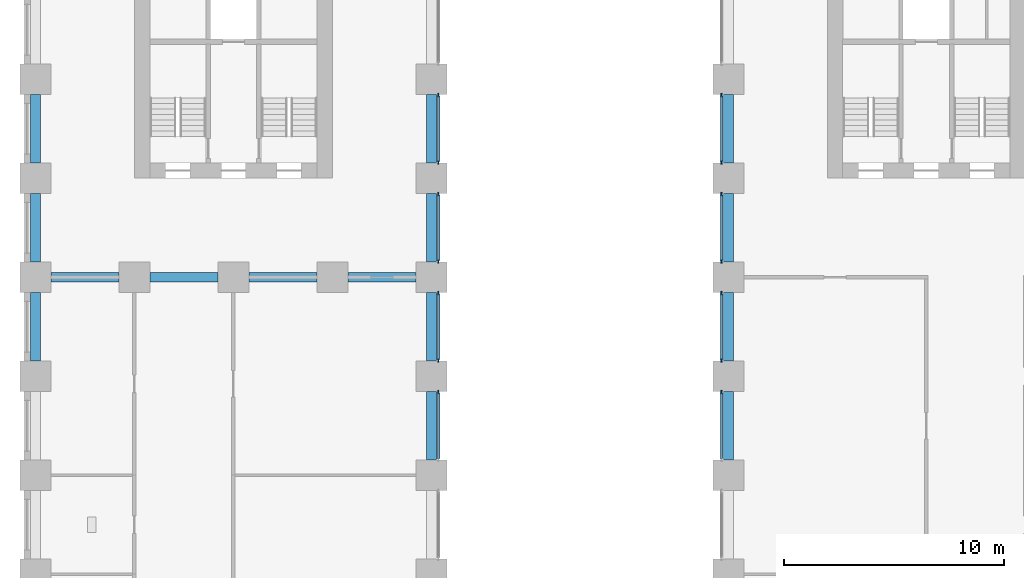
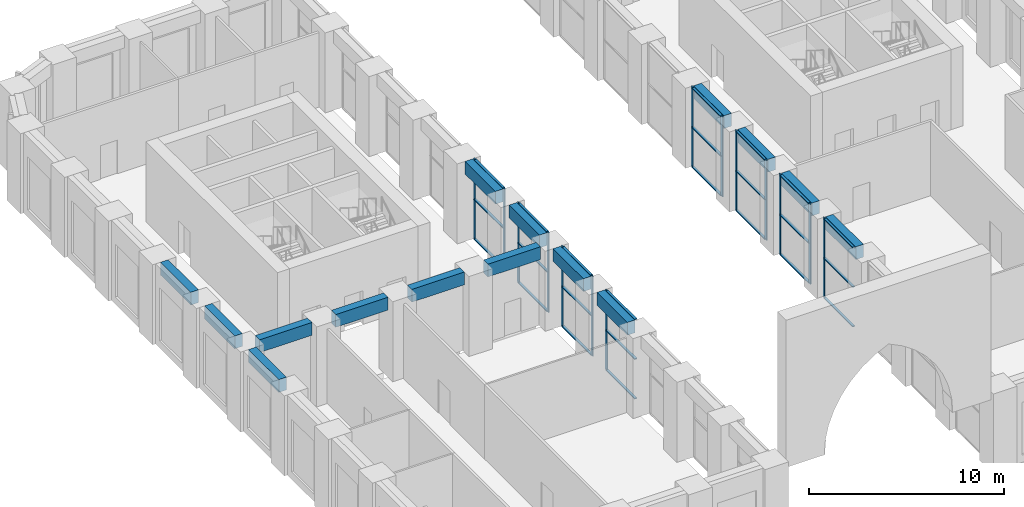
# One storey, part 3 of 25: 38 members, 15 beams, 8 elements without a shape of their own.
"""IFC4 building model written with IfcOpenShell, lengths in metres."""

from ifc_helpers import new_model, si_unit, direction, frame, origin, origin_2d, place, context, subcontext, project, spatial, rectangle, extrude, material, material_profile, profile_set, type_object, element, aggregate, save


model = new_model("IFC4")

# Units and contexts
model_context = context("Model", 3, precision=1e-05, world=origin(), true_north=direction((0.0, 1.0)))
body_context = subcontext(model_context, "Body", "Model", "MODEL_VIEW")
ifc_project = project(units=[si_unit("LENGTHUNIT", "METRE"), si_unit("AREAUNIT", "SQUARE_METRE"), si_unit("VOLUMEUNIT", "CUBIC_METRE"), si_unit("PLANEANGLEUNIT", "RADIAN"), si_unit("MASSUNIT", "GRAM", prefix="KILO")], contexts=[model_context])

# Site, building, storey
site_placement = place(None, origin())
site = spatial("IfcSite", under=ifc_project, at=site_placement, CompositionType="ELEMENT")
building_placement = place(site_placement, origin())
building = spatial("IfcBuilding", under=site, at=building_placement, Name="Girih Gate Residences", CompositionType="ELEMENT")
storey_placement = place(building_placement, frame((0.0, 0.0, 6.0)))
storey = spatial("IfcBuildingStorey", under=building, at=storey_placement, Name="L01", CompositionType="ELEMENT", Elevation=6.0)

# Curtain wall, member
ifc_material_1 = material(Name="Aluminium curtain wall frame", Category="aluminium")
curtain_wall_type = type_object("IfcCurtainWallType", Name="Curtain wall CW-2 podium amenity glazing", PredefinedType="NOTDEFINED", material=ifc_material_1)
curtain_wall_1_placement = place(storey_placement, origin())
curtain_wall_1 = element("IfcCurtainWall", 1, at=curtain_wall_1_placement, inside=storey, type_object=curtain_wall_type, Name="CW-2 Podium amenity glazing E0180_0000.3", PredefinedType="NOTDEFINED")
ifc_material_profile_1 = material_profile(ifc_material_1, rectangle(XDim=0.06005859375, YDim=0.179931640625, at=origin_2d()))
ifc_profile_set_1 = profile_set([ifc_material_profile_1], Name="Aluminium curtain wall frame")
member_type_1 = type_object("IfcMemberType", Name="Curtain wall mullion 60x180", PredefinedType="MULLION", material=ifc_profile_set_1)
member_1_placement = place(storey_placement, frame((18.31494140625, 17.27001953125, 0.0), z_axis=(0.0, 0.0, 1.0), x_axis=(-1.0, 0.0, 0.0)))
member_1 = element("IfcMember", 2, at=member_1_placement, type_object=member_type_1, Name="CW-2 mullion 2", PredefinedType="MULLION", context=body_context, shape_type="SweptSolid", body=[
    extrude(rectangle(XDim=0.06005859375, YDim=0.179931640625, at=origin_2d()), origin(), (0.0, 0.0, 1.0), 5.0),
])

# Curtain wall, members
curtain_wall_2_placement = place(storey_placement, origin())
curtain_wall_2 = element("IfcCurtainWall", 3, at=curtain_wall_2_placement, inside=storey, type_object=curtain_wall_type, Name="CW-2 Podium amenity glazing E0180_0000.4", PredefinedType="NOTDEFINED")
member_2_placement = place(storey_placement, frame((18.31494140625, 18.72998046875, 0.0), z_axis=(0.0, 0.0, 1.0), x_axis=(-1.0, 0.0, 0.0)))
member_2 = element("IfcMember", 4, at=member_2_placement, type_object=member_type_1, Name="CW-2 mullion 1", PredefinedType="MULLION", context=body_context, shape_type="SweptSolid", body=[
    extrude(rectangle(XDim=0.06005859375, YDim=0.179931640625, at=origin_2d()), origin(), (0.0, 0.0, 1.0), 5.0),
])
member_3_placement = place(storey_placement, frame((18.31494140625, 21.77001953125, 0.0), z_axis=(0.0, 0.0, 1.0), x_axis=(-1.0, 0.0, 0.0)))
member_3 = element("IfcMember", 5, at=member_3_placement, type_object=member_type_1, Name="CW-2 mullion 2", PredefinedType="MULLION", context=body_context, shape_type="SweptSolid", body=[
    extrude(rectangle(XDim=0.06005859375, YDim=0.179931640625, at=origin_2d()), origin(), (0.0, 0.0, 1.0), 5.0),
])

curtain_wall_3_placement = place(storey_placement, origin())
curtain_wall_3 = element("IfcCurtainWall", 6, at=curtain_wall_3_placement, inside=storey, type_object=curtain_wall_type, Name="CW-2 Podium amenity glazing E0180_0000.5", PredefinedType="NOTDEFINED")
member_4_placement = place(storey_placement, frame((18.31494140625, 23.22998046875, 0.0), z_axis=(0.0, 0.0, 1.0), x_axis=(-1.0, 0.0, 0.0)))
member_4 = element("IfcMember", 7, at=member_4_placement, type_object=member_type_1, Name="CW-2 mullion 1", PredefinedType="MULLION", context=body_context, shape_type="SweptSolid", body=[
    extrude(rectangle(XDim=0.06005859375, YDim=0.179931640625, at=origin_2d()), origin(), (0.0, 0.0, 1.0), 5.0),
])
member_5_placement = place(storey_placement, frame((18.31494140625, 26.27001953125, 0.0), z_axis=(0.0, 0.0, 1.0), x_axis=(-1.0, 0.0, 0.0)))
member_5 = element("IfcMember", 8, at=member_5_placement, type_object=member_type_1, Name="CW-2 mullion 2", PredefinedType="MULLION", context=body_context, shape_type="SweptSolid", body=[
    extrude(rectangle(XDim=0.06005859375, YDim=0.179931640625, at=origin_2d()), origin(), (0.0, 0.0, 1.0), 5.0),
])

curtain_wall_4_placement = place(storey_placement, origin())
curtain_wall_4 = element("IfcCurtainWall", 9, at=curtain_wall_4_placement, inside=storey, type_object=curtain_wall_type, Name="CW-2 Podium amenity glazing E0180_0000.6", PredefinedType="NOTDEFINED")
member_6_placement = place(storey_placement, frame((18.31494140625, 27.72998046875, 0.0), z_axis=(0.0, 0.0, 1.0), x_axis=(-1.0, 0.0, 0.0)))
member_6 = element("IfcMember", 10, at=member_6_placement, type_object=member_type_1, Name="CW-2 mullion 1", PredefinedType="MULLION", context=body_context, shape_type="SweptSolid", body=[
    extrude(rectangle(XDim=0.06005859375, YDim=0.179931640625, at=origin_2d()), origin(), (0.0, 0.0, 1.0), 5.0),
])
member_7_placement = place(storey_placement, frame((18.31494140625, 30.77001953125, 0.0), z_axis=(0.0, 0.0, 1.0), x_axis=(-1.0, 0.0, 0.0)))
member_7 = element("IfcMember", 11, at=member_7_placement, type_object=member_type_1, Name="CW-2 mullion 2", PredefinedType="MULLION", context=body_context, shape_type="SweptSolid", body=[
    extrude(rectangle(XDim=0.06005859375, YDim=0.179931640625, at=origin_2d()), origin(), (0.0, 0.0, 1.0), 5.0),
])

curtain_wall_5_placement = place(storey_placement, origin())
curtain_wall_5 = element("IfcCurtainWall", 12, at=curtain_wall_5_placement, inside=storey, type_object=curtain_wall_type, Name="CW-2 Podium amenity glazing W0315_0495.4", PredefinedType="NOTDEFINED")
member_8_placement = place(storey_placement, frame((31.18505859375, 30.77001953125, 0.0), z_axis=(0.0, 0.0, 1.0), x_axis=(1.0, 0.0, 0.0)))
member_8 = element("IfcMember", 13, at=member_8_placement, type_object=member_type_1, Name="CW-2 mullion 1", PredefinedType="MULLION", context=body_context, shape_type="SweptSolid", body=[
    extrude(rectangle(XDim=0.06005859375, YDim=0.179931640625, at=origin_2d()), origin(), (0.0, 0.0, 1.0), 5.0),
])
member_9_placement = place(storey_placement, frame((31.18505859375, 27.72998046875, 0.0), z_axis=(0.0, 0.0, 1.0), x_axis=(1.0, 0.0, 0.0)))
member_9 = element("IfcMember", 14, at=member_9_placement, type_object=member_type_1, Name="CW-2 mullion 2", PredefinedType="MULLION", context=body_context, shape_type="SweptSolid", body=[
    extrude(rectangle(XDim=0.06005859375, YDim=0.179931640625, at=origin_2d()), origin(), (0.0, 0.0, 1.0), 5.0),
])

curtain_wall_6_placement = place(storey_placement, origin())
curtain_wall_6 = element("IfcCurtainWall", 15, at=curtain_wall_6_placement, inside=storey, type_object=curtain_wall_type, Name="CW-2 Podium amenity glazing W0315_0495.5", PredefinedType="NOTDEFINED")
member_10_placement = place(storey_placement, frame((31.18505859375, 26.27001953125, 0.0), z_axis=(0.0, 0.0, 1.0), x_axis=(1.0, 0.0, 0.0)))
member_10 = element("IfcMember", 16, at=member_10_placement, type_object=member_type_1, Name="CW-2 mullion 1", PredefinedType="MULLION", context=body_context, shape_type="SweptSolid", body=[
    extrude(rectangle(XDim=0.06005859375, YDim=0.179931640625, at=origin_2d()), origin(), (0.0, 0.0, 1.0), 5.0),
])
member_11_placement = place(storey_placement, frame((31.18505859375, 23.22998046875, 0.0), z_axis=(0.0, 0.0, 1.0), x_axis=(1.0, 0.0, 0.0)))
member_11 = element("IfcMember", 17, at=member_11_placement, type_object=member_type_1, Name="CW-2 mullion 2", PredefinedType="MULLION", context=body_context, shape_type="SweptSolid", body=[
    extrude(rectangle(XDim=0.06005859375, YDim=0.179931640625, at=origin_2d()), origin(), (0.0, 0.0, 1.0), 5.0),
])

curtain_wall_7_placement = place(storey_placement, origin())
curtain_wall_7 = element("IfcCurtainWall", 18, at=curtain_wall_7_placement, inside=storey, type_object=curtain_wall_type, Name="CW-2 Podium amenity glazing W0315_0495.6", PredefinedType="NOTDEFINED")
member_12_placement = place(storey_placement, frame((31.18505859375, 21.77001953125, 0.0), z_axis=(0.0, 0.0, 1.0), x_axis=(1.0, 0.0, 0.0)))
member_12 = element("IfcMember", 19, at=member_12_placement, type_object=member_type_1, Name="CW-2 mullion 1", PredefinedType="MULLION", context=body_context, shape_type="SweptSolid", body=[
    extrude(rectangle(XDim=0.06005859375, YDim=0.179931640625, at=origin_2d()), origin(), (0.0, 0.0, 1.0), 5.0),
])
member_13_placement = place(storey_placement, frame((31.18505859375, 18.72998046875, 0.0), z_axis=(0.0, 0.0, 1.0), x_axis=(1.0, 0.0, 0.0)))
member_13 = element("IfcMember", 20, at=member_13_placement, type_object=member_type_1, Name="CW-2 mullion 2", PredefinedType="MULLION", context=body_context, shape_type="SweptSolid", body=[
    extrude(rectangle(XDim=0.06005859375, YDim=0.179931640625, at=origin_2d()), origin(), (0.0, 0.0, 1.0), 5.0),
])

# Curtain wall, member
curtain_wall_8_placement = place(storey_placement, origin())
curtain_wall_8 = element("IfcCurtainWall", 21, at=curtain_wall_8_placement, inside=storey, type_object=curtain_wall_type, Name="CW-2 Podium amenity glazing W0315_0495.7", PredefinedType="NOTDEFINED")
member_14_placement = place(storey_placement, frame((31.18505859375, 17.27001953125, 0.0), z_axis=(0.0, 0.0, 1.0), x_axis=(1.0, 0.0, 0.0)))
member_14 = element("IfcMember", 22, at=member_14_placement, type_object=member_type_1, Name="CW-2 mullion 1", PredefinedType="MULLION", context=body_context, shape_type="SweptSolid", body=[
    extrude(rectangle(XDim=0.06005859375, YDim=0.179931640625, at=origin_2d()), origin(), (0.0, 0.0, 1.0), 5.0),
])

# Member
ifc_material_profile_2 = material_profile(ifc_material_1, rectangle(XDim=0.139892578125, YDim=0.06005859375, at=origin_2d()))
ifc_profile_set_2 = profile_set([ifc_material_profile_2], Name="Aluminium curtain wall frame")
member_type_2 = type_object("IfcMemberType", Name="Curtain wall transom 60x140", PredefinedType="USERDEFINED", material=ifc_profile_set_2)
member_15_placement = place(storey_placement, frame((18.31494140625, 14.260009765625, 0.030029296875), z_axis=(0.0, 1.0, 0.0), x_axis=(-1.0, 0.0, 0.0)))
member_15 = element("IfcMember", 23, at=member_15_placement, type_object=member_type_2, Name="CW-2 transom 1.1", ObjectType="TRANSOM", PredefinedType="USERDEFINED", context=body_context, shape_type="SweptSolid", body=[
    extrude(rectangle(XDim=0.139892578125, YDim=0.06005859375, at=origin_2d()), origin(), (0.0, 0.0, 1.0), 2.97998046875),
])

member_16_placement = place(storey_placement, frame((18.31494140625, 14.260009765625, 2.5), z_axis=(0.0, 1.0, 0.0), x_axis=(-1.0, 0.0, 0.0)))
member_16 = element("IfcMember", 24, at=member_16_placement, type_object=member_type_2, Name="CW-2 transom 1.2", ObjectType="TRANSOM", PredefinedType="USERDEFINED", context=body_context, shape_type="SweptSolid", body=[
    extrude(rectangle(XDim=0.139892578125, YDim=0.06005859375, at=origin_2d()), origin(), (0.0, 0.0, 1.0), 2.97998046875),
])

member_17_placement = place(storey_placement, frame((18.31494140625, 14.260009765625, 4.969970703125), z_axis=(0.0, 1.0, 0.0), x_axis=(-1.0, 0.0, 0.0)))
member_17 = element("IfcMember", 25, at=member_17_placement, type_object=member_type_2, Name="CW-2 transom 1.3", ObjectType="TRANSOM", PredefinedType="USERDEFINED", context=body_context, shape_type="SweptSolid", body=[
    extrude(rectangle(XDim=0.139892578125, YDim=0.06005859375, at=origin_2d()), origin(), (0.0, 0.0, 1.0), 2.97998046875),
])

aggregate(curtain_wall_1, [member_1, member_15, member_16, member_17])

member_18_placement = place(storey_placement, frame((18.31494140625, 18.760009765625, 0.030029296875), z_axis=(0.0, 1.0, 0.0), x_axis=(-1.0, 0.0, 0.0)))
member_18 = element("IfcMember", 26, at=member_18_placement, type_object=member_type_2, Name="CW-2 transom 1.1", ObjectType="TRANSOM", PredefinedType="USERDEFINED", context=body_context, shape_type="SweptSolid", body=[
    extrude(rectangle(XDim=0.139892578125, YDim=0.06005859375, at=origin_2d()), origin(), (0.0, 0.0, 1.0), 2.97998046875),
])

member_19_placement = place(storey_placement, frame((18.31494140625, 18.760009765625, 2.5), z_axis=(0.0, 1.0, 0.0), x_axis=(-1.0, 0.0, 0.0)))
member_19 = element("IfcMember", 27, at=member_19_placement, type_object=member_type_2, Name="CW-2 transom 1.2", ObjectType="TRANSOM", PredefinedType="USERDEFINED", context=body_context, shape_type="SweptSolid", body=[
    extrude(rectangle(XDim=0.139892578125, YDim=0.06005859375, at=origin_2d()), origin(), (0.0, 0.0, 1.0), 2.97998046875),
])

member_20_placement = place(storey_placement, frame((18.31494140625, 18.760009765625, 4.969970703125), z_axis=(0.0, 1.0, 0.0), x_axis=(-1.0, 0.0, 0.0)))
member_20 = element("IfcMember", 28, at=member_20_placement, type_object=member_type_2, Name="CW-2 transom 1.3", ObjectType="TRANSOM", PredefinedType="USERDEFINED", context=body_context, shape_type="SweptSolid", body=[
    extrude(rectangle(XDim=0.139892578125, YDim=0.06005859375, at=origin_2d()), origin(), (0.0, 0.0, 1.0), 2.97998046875),
])

aggregate(curtain_wall_2, [member_2, member_3, member_18, member_19, member_20])

member_21_placement = place(storey_placement, frame((18.31494140625, 23.260009765625, 0.030029296875), z_axis=(0.0, 1.0, 0.0), x_axis=(-1.0, 0.0, 0.0)))
member_21 = element("IfcMember", 29, at=member_21_placement, type_object=member_type_2, Name="CW-2 transom 1.1", ObjectType="TRANSOM", PredefinedType="USERDEFINED", context=body_context, shape_type="SweptSolid", body=[
    extrude(rectangle(XDim=0.139892578125, YDim=0.06005859375, at=origin_2d()), origin(), (0.0, 0.0, 1.0), 2.97998046875),
])

member_22_placement = place(storey_placement, frame((18.31494140625, 23.260009765625, 2.5), z_axis=(0.0, 1.0, 0.0), x_axis=(-1.0, 0.0, 0.0)))
member_22 = element("IfcMember", 30, at=member_22_placement, type_object=member_type_2, Name="CW-2 transom 1.2", ObjectType="TRANSOM", PredefinedType="USERDEFINED", context=body_context, shape_type="SweptSolid", body=[
    extrude(rectangle(XDim=0.139892578125, YDim=0.06005859375, at=origin_2d()), origin(), (0.0, 0.0, 1.0), 2.97998046875),
])

member_23_placement = place(storey_placement, frame((18.31494140625, 23.260009765625, 4.969970703125), z_axis=(0.0, 1.0, 0.0), x_axis=(-1.0, 0.0, 0.0)))
member_23 = element("IfcMember", 31, at=member_23_placement, type_object=member_type_2, Name="CW-2 transom 1.3", ObjectType="TRANSOM", PredefinedType="USERDEFINED", context=body_context, shape_type="SweptSolid", body=[
    extrude(rectangle(XDim=0.139892578125, YDim=0.06005859375, at=origin_2d()), origin(), (0.0, 0.0, 1.0), 2.97998046875),
])

aggregate(curtain_wall_3, [member_4, member_5, member_21, member_22, member_23])

member_24_placement = place(storey_placement, frame((18.31494140625, 27.760009765625, 0.030029296875), z_axis=(0.0, 1.0, 0.0), x_axis=(-1.0, 0.0, 0.0)))
member_24 = element("IfcMember", 32, at=member_24_placement, type_object=member_type_2, Name="CW-2 transom 1.1", ObjectType="TRANSOM", PredefinedType="USERDEFINED", context=body_context, shape_type="SweptSolid", body=[
    extrude(rectangle(XDim=0.139892578125, YDim=0.06005859375, at=origin_2d()), origin(), (0.0, 0.0, 1.0), 2.97998046875),
])

member_25_placement = place(storey_placement, frame((18.31494140625, 27.760009765625, 2.5), z_axis=(0.0, 1.0, 0.0), x_axis=(-1.0, 0.0, 0.0)))
member_25 = element("IfcMember", 33, at=member_25_placement, type_object=member_type_2, Name="CW-2 transom 1.2", ObjectType="TRANSOM", PredefinedType="USERDEFINED", context=body_context, shape_type="SweptSolid", body=[
    extrude(rectangle(XDim=0.139892578125, YDim=0.06005859375, at=origin_2d()), origin(), (0.0, 0.0, 1.0), 2.97998046875),
])

member_26_placement = place(storey_placement, frame((18.31494140625, 27.760009765625, 4.969970703125), z_axis=(0.0, 1.0, 0.0), x_axis=(-1.0, 0.0, 0.0)))
member_26 = element("IfcMember", 34, at=member_26_placement, type_object=member_type_2, Name="CW-2 transom 1.3", ObjectType="TRANSOM", PredefinedType="USERDEFINED", context=body_context, shape_type="SweptSolid", body=[
    extrude(rectangle(XDim=0.139892578125, YDim=0.06005859375, at=origin_2d()), origin(), (0.0, 0.0, 1.0), 2.97998046875),
])

aggregate(curtain_wall_4, [member_6, member_7, member_24, member_25, member_26])

member_27_placement = place(storey_placement, frame((31.18505859375, 30.739990234375, 0.030029296875), z_axis=(0.0, -1.0, 0.0), x_axis=(1.0, 0.0, 0.0)))
member_27 = element("IfcMember", 35, at=member_27_placement, type_object=member_type_2, Name="CW-2 transom 1.1", ObjectType="TRANSOM", PredefinedType="USERDEFINED", context=body_context, shape_type="SweptSolid", body=[
    extrude(rectangle(XDim=0.139892578125, YDim=0.06005859375, at=origin_2d()), origin(), (0.0, 0.0, 1.0), 2.97998046875),
])

member_28_placement = place(storey_placement, frame((31.18505859375, 30.739990234375, 2.5), z_axis=(0.0, -1.0, 0.0), x_axis=(1.0, 0.0, 0.0)))
member_28 = element("IfcMember", 36, at=member_28_placement, type_object=member_type_2, Name="CW-2 transom 1.2", ObjectType="TRANSOM", PredefinedType="USERDEFINED", context=body_context, shape_type="SweptSolid", body=[
    extrude(rectangle(XDim=0.139892578125, YDim=0.06005859375, at=origin_2d()), origin(), (0.0, 0.0, 1.0), 2.97998046875),
])

member_29_placement = place(storey_placement, frame((31.18505859375, 30.739990234375, 4.969970703125), z_axis=(0.0, -1.0, 0.0), x_axis=(1.0, 0.0, 0.0)))
member_29 = element("IfcMember", 37, at=member_29_placement, type_object=member_type_2, Name="CW-2 transom 1.3", ObjectType="TRANSOM", PredefinedType="USERDEFINED", context=body_context, shape_type="SweptSolid", body=[
    extrude(rectangle(XDim=0.139892578125, YDim=0.06005859375, at=origin_2d()), origin(), (0.0, 0.0, 1.0), 2.97998046875),
])

aggregate(curtain_wall_5, [member_8, member_9, member_27, member_28, member_29])

member_30_placement = place(storey_placement, frame((31.18505859375, 26.239990234375, 0.030029296875), z_axis=(0.0, -1.0, 0.0), x_axis=(1.0, 0.0, 0.0)))
member_30 = element("IfcMember", 38, at=member_30_placement, type_object=member_type_2, Name="CW-2 transom 1.1", ObjectType="TRANSOM", PredefinedType="USERDEFINED", context=body_context, shape_type="SweptSolid", body=[
    extrude(rectangle(XDim=0.139892578125, YDim=0.06005859375, at=origin_2d()), origin(), (0.0, 0.0, 1.0), 2.97998046875),
])

member_31_placement = place(storey_placement, frame((31.18505859375, 26.239990234375, 2.5), z_axis=(0.0, -1.0, 0.0), x_axis=(1.0, 0.0, 0.0)))
member_31 = element("IfcMember", 39, at=member_31_placement, type_object=member_type_2, Name="CW-2 transom 1.2", ObjectType="TRANSOM", PredefinedType="USERDEFINED", context=body_context, shape_type="SweptSolid", body=[
    extrude(rectangle(XDim=0.139892578125, YDim=0.06005859375, at=origin_2d()), origin(), (0.0, 0.0, 1.0), 2.97998046875),
])

member_32_placement = place(storey_placement, frame((31.18505859375, 26.239990234375, 4.969970703125), z_axis=(0.0, -1.0, 0.0), x_axis=(1.0, 0.0, 0.0)))
member_32 = element("IfcMember", 40, at=member_32_placement, type_object=member_type_2, Name="CW-2 transom 1.3", ObjectType="TRANSOM", PredefinedType="USERDEFINED", context=body_context, shape_type="SweptSolid", body=[
    extrude(rectangle(XDim=0.139892578125, YDim=0.06005859375, at=origin_2d()), origin(), (0.0, 0.0, 1.0), 2.97998046875),
])

aggregate(curtain_wall_6, [member_10, member_11, member_30, member_31, member_32])

member_33_placement = place(storey_placement, frame((31.18505859375, 21.739990234375, 0.030029296875), z_axis=(0.0, -1.0, 0.0), x_axis=(1.0, 0.0, 0.0)))
member_33 = element("IfcMember", 41, at=member_33_placement, type_object=member_type_2, Name="CW-2 transom 1.1", ObjectType="TRANSOM", PredefinedType="USERDEFINED", context=body_context, shape_type="SweptSolid", body=[
    extrude(rectangle(XDim=0.139892578125, YDim=0.06005859375, at=origin_2d()), origin(), (0.0, 0.0, 1.0), 2.97998046875),
])

member_34_placement = place(storey_placement, frame((31.18505859375, 21.739990234375, 2.5), z_axis=(0.0, -1.0, 0.0), x_axis=(1.0, 0.0, 0.0)))
member_34 = element("IfcMember", 42, at=member_34_placement, type_object=member_type_2, Name="CW-2 transom 1.2", ObjectType="TRANSOM", PredefinedType="USERDEFINED", context=body_context, shape_type="SweptSolid", body=[
    extrude(rectangle(XDim=0.139892578125, YDim=0.06005859375, at=origin_2d()), origin(), (0.0, 0.0, 1.0), 2.97998046875),
])

member_35_placement = place(storey_placement, frame((31.18505859375, 21.739990234375, 4.969970703125), z_axis=(0.0, -1.0, 0.0), x_axis=(1.0, 0.0, 0.0)))
member_35 = element("IfcMember", 43, at=member_35_placement, type_object=member_type_2, Name="CW-2 transom 1.3", ObjectType="TRANSOM", PredefinedType="USERDEFINED", context=body_context, shape_type="SweptSolid", body=[
    extrude(rectangle(XDim=0.139892578125, YDim=0.06005859375, at=origin_2d()), origin(), (0.0, 0.0, 1.0), 2.97998046875),
])

aggregate(curtain_wall_7, [member_12, member_13, member_33, member_34, member_35])

member_36_placement = place(storey_placement, frame((31.18505859375, 17.239990234375, 0.030029296875), z_axis=(0.0, -1.0, 0.0), x_axis=(1.0, 0.0, 0.0)))
member_36 = element("IfcMember", 44, at=member_36_placement, type_object=member_type_2, Name="CW-2 transom 1.1", ObjectType="TRANSOM", PredefinedType="USERDEFINED", context=body_context, shape_type="SweptSolid", body=[
    extrude(rectangle(XDim=0.139892578125, YDim=0.06005859375, at=origin_2d()), origin(), (0.0, 0.0, 1.0), 2.97998046875),
])

member_37_placement = place(storey_placement, frame((31.18505859375, 17.239990234375, 2.5), z_axis=(0.0, -1.0, 0.0), x_axis=(1.0, 0.0, 0.0)))
member_37 = element("IfcMember", 45, at=member_37_placement, type_object=member_type_2, Name="CW-2 transom 1.2", ObjectType="TRANSOM", PredefinedType="USERDEFINED", context=body_context, shape_type="SweptSolid", body=[
    extrude(rectangle(XDim=0.139892578125, YDim=0.06005859375, at=origin_2d()), origin(), (0.0, 0.0, 1.0), 2.97998046875),
])

member_38_placement = place(storey_placement, frame((31.18505859375, 17.239990234375, 4.969970703125), z_axis=(0.0, -1.0, 0.0), x_axis=(1.0, 0.0, 0.0)))
member_38 = element("IfcMember", 46, at=member_38_placement, type_object=member_type_2, Name="CW-2 transom 1.3", ObjectType="TRANSOM", PredefinedType="USERDEFINED", context=body_context, shape_type="SweptSolid", body=[
    extrude(rectangle(XDim=0.139892578125, YDim=0.06005859375, at=origin_2d()), origin(), (0.0, 0.0, 1.0), 2.97998046875),
])

aggregate(curtain_wall_8, [member_14, member_36, member_37, member_38])

# Beams
ifc_material_2 = material(Name="Concrete C60/75", Category="concrete")
ifc_material_profile_3 = material_profile(ifc_material_2, rectangle(XDim=0.449951171875, YDim=0.800048828125, at=origin_2d()))
ifc_profile_set_3 = profile_set([ifc_material_profile_3], Name="Concrete C60/75")
beam_type = type_object("IfcBeamType", Name="Spandrel girder RC 450x800 Concrete C60/75", PredefinedType="BEAM", material=ifc_profile_set_3)
for number, where, z_axis, x_axis, name in (
    (47, (0.0, 30.800048828125, 4.60009765625), (0.0, -1.0, 0.0), (1.0, 0.0, 0.0), "Spandrel girder SP-P1H-P1G L01"),
    (48, (0.0, 26.300048828125, 4.60009765625), (0.0, -1.0, 0.0), (1.0, 0.0, 0.0), "Spandrel girder SP-P1G-P1F L01"),
    (49, (0.0, 21.800048828125, 4.60009765625), (0.0, -1.0, 0.0), (1.0, 0.0, 0.0), "Spandrel girder SP-P1F-P1E L01"),
    (50, (18.0, 14.199951171875, 4.60009765625), (0.0, 1.0, 0.0), (-1.0, 0.0, 0.0), "Spandrel girder SP-P5D-P5E L01"),
    (51, (18.0, 18.699951171875, 4.60009765625), (0.0, 1.0, 0.0), (-1.0, 0.0, 0.0), "Spandrel girder SP-P5E-P5F L01"),
    (52, (18.0, 23.199951171875, 4.60009765625), (0.0, 1.0, 0.0), (-1.0, 0.0, 0.0), "Spandrel girder SP-P5F-P5G L01"),
    (53, (18.0, 27.699951171875, 4.60009765625), (0.0, 1.0, 0.0), (-1.0, 0.0, 0.0), "Spandrel girder SP-P5G-P5H L01"),
    (54, (31.5, 30.800048828125, 4.60009765625), (0.0, -1.0, 0.0), (1.0, 0.0, 0.0), "Spandrel girder SP-P8H-P8G L01"),
    (55, (31.5, 26.300048828125, 4.60009765625), (0.0, -1.0, 0.0), (1.0, 0.0, 0.0), "Spandrel girder SP-P8G-P8F L01"),
    (56, (31.5, 21.800048828125, 4.60009765625), (0.0, -1.0, 0.0), (1.0, 0.0, 0.0), "Spandrel girder SP-P8F-P8E L01"),
    (57, (31.5, 17.300048828125, 4.60009765625), (0.0, -1.0, 0.0), (1.0, 0.0, 0.0), "Spandrel girder SP-P8E-P8D L01"),
    (58, (0.699951171875, 22.5, 4.60009765625), (1.0, 0.0, 0.0), (0.0, 1.0, 0.0), "Spandrel girder SP-P1F-P2F L01"),
    (59, (5.199951171875, 22.5, 4.60009765625), (1.0, 0.0, 0.0), (0.0, 1.0, 0.0), "Spandrel girder SP-P2F-P3F L01"),
    (60, (9.699951171875, 22.5, 4.60009765625), (1.0, 0.0, 0.0), (0.0, 1.0, 0.0), "Spandrel girder SP-P3F-P4F L01"),
    (61, (14.199951171875, 22.5, 4.60009765625), (1.0, 0.0, 0.0), (0.0, 1.0, 0.0), "Spandrel girder SP-P4F-P5F L01"),
):
    element("IfcBeam", number, at=place(storey_placement, frame(where, z_axis=z_axis, x_axis=x_axis)), inside=storey, type_object=beam_type, Name=name, PredefinedType="BEAM", context=body_context, shape_type="SweptSolid", body=[
        extrude(rectangle(XDim=0.449951171875, YDim=0.800048828125, at=origin_2d()), origin(), (0.0, 0.0, 1.0), 3.10009765625),
    ])

save(model, "model.ifc")
